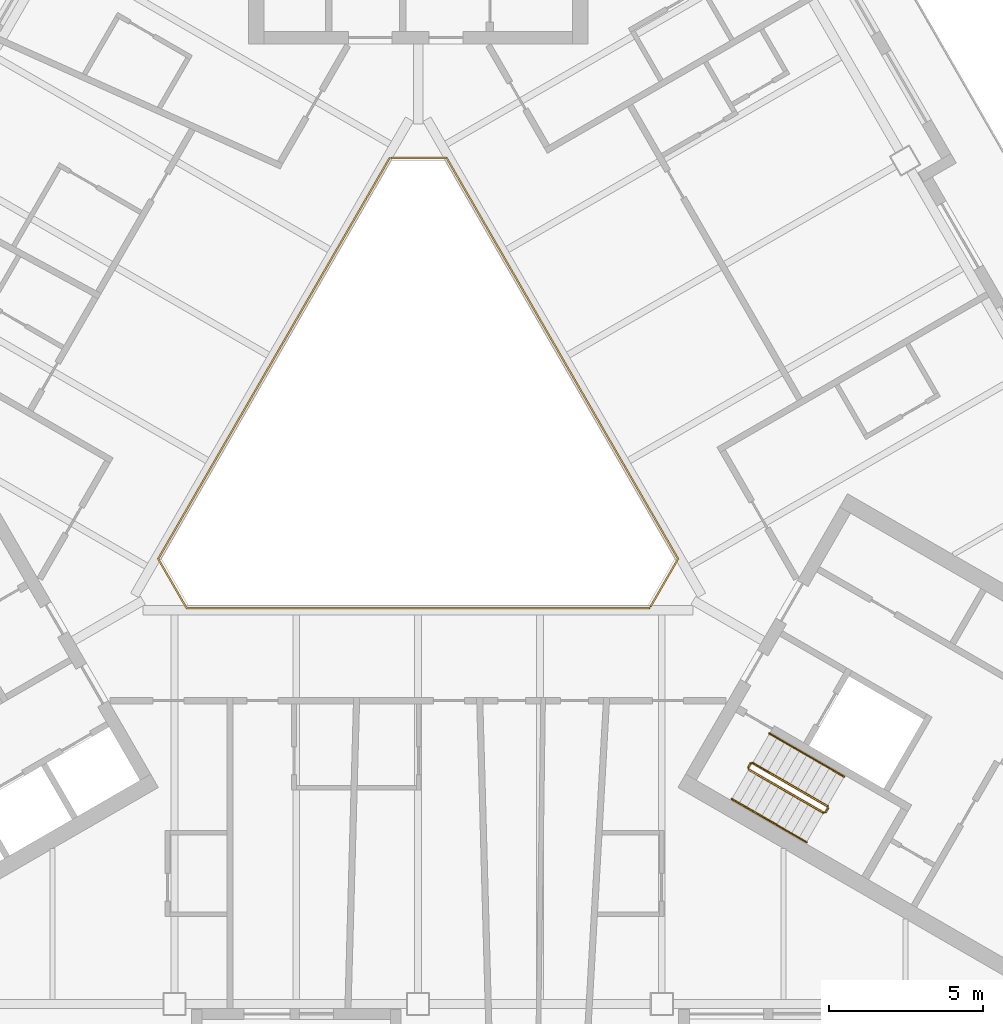
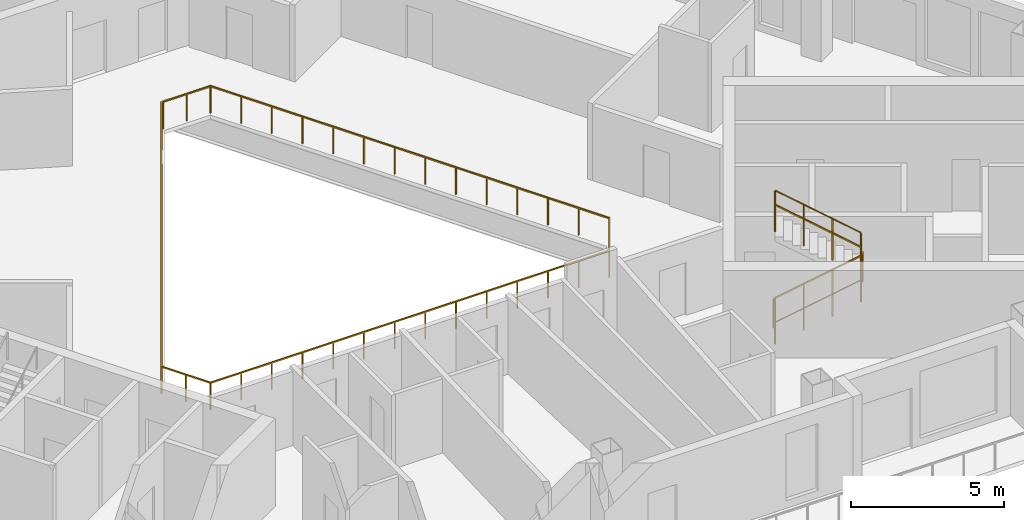
# One storey, part 12 of 14: 8 railings.
"""IFC4 building model written with IfcOpenShell, lengths in metres."""

import ifcopenshell
import ifcopenshell.guid

model = None  # the IFC model being written
_history = None  # IfcOwnerHistory: only IFC2X3 demands one
_inside = {}  # id of a spatial element -> (the spatial element, [elements in it])
_under = {}  # id of a project, library or spatial element -> (it, [spatial elements below it])
_declared = {}  # id of a project -> (the project, [libraries it declares])
_typed = {}  # id of a type object -> (the type object, [elements of that type])
_made_of = {}  # id of a material, layer set ... -> (it, [elements and type objects made of it])


def new_model(schema):
    """Start an empty IFC model of exactly this schema.

    Asked for "IFC4X3", IfcOpenShell would pick the latest addendum, in which some entities
    have other attributes; the version numbers below select the first issue.
    IFC2X3 requires an IfcOwnerHistory on every rooted entity: one is made here for all.
    """
    global model, _history
    if schema == "IFC4X3":
        model = ifcopenshell.file(schema_version=(4, 3, 0, 0))
    else:
        model = ifcopenshell.file(schema=schema)
    _inside.clear()
    _under.clear()
    _declared.clear()
    _typed.clear()
    _made_of.clear()
    _history = None
    if model.schema == "IFC2X3":
        org = make("IfcOrganization", Name="unknown")
        user = make(
            "IfcPersonAndOrganization",
            ThePerson=make("IfcPerson", FamilyName="unknown"),
            TheOrganization=org,
        )
        app = make(
            "IfcApplication",
            ApplicationDeveloper=org,
            Version="unknown",
            ApplicationFullName="unknown",
            ApplicationIdentifier="unknown",
        )
        _history = make(
            "IfcOwnerHistory",
            OwningUser=user,
            OwningApplication=app,
            ChangeAction="ADDED",
            CreationDate=0,
        )
    return model


def make(cls, **values):
    """One entity of the class cls with the attributes given. An attribute that is None is left unset."""
    return model.create_entity(
        cls, **{name: value for name, value in values.items() if value is not None}
    )


def rooted(cls, **values):
    """An entity with a GlobalId (a new one), such as an element, a storey or a relation."""
    return make(cls, GlobalId=ifcopenshell.guid.new(), OwnerHistory=_history, **values)


def si_unit(unit_type, name, prefix=None):
    """IfcSIUnit, for example si_unit("LENGTHUNIT", "METRE", prefix="MILLI")."""
    return make("IfcSIUnit", UnitType=unit_type, Prefix=prefix, Name=name)


def assignment(units):
    """IfcUnitAssignment: the units of a project."""
    return None if units is None else make("IfcUnitAssignment", Units=units)


def point(xyz):
    """IfcCartesianPoint."""
    return None if xyz is None else make("IfcCartesianPoint", Coordinates=xyz)


def direction(xyz):
    """IfcDirection."""
    return None if xyz is None else make("IfcDirection", DirectionRatios=xyz)


def frame(location, z_axis=None, x_axis=None):
    """IfcAxis2Placement3D, a coordinate frame: its origin and axes. An axis left out is left unset."""
    return make(
        "IfcAxis2Placement3D",
        Location=point(location),
        Axis=direction(z_axis),
        RefDirection=direction(x_axis),
    )


def frame_2d(location, x_axis=None):
    """IfcAxis2Placement2D, a coordinate frame in the plane: its origin and x axis."""
    return make(
        "IfcAxis2Placement2D", Location=point(location), RefDirection=direction(x_axis)
    )


def origin():
    """The frame at (0, 0, 0) with its axes left unset."""
    return frame((0.0, 0.0, 0.0))


def origin_2d():
    """The frame at (0, 0) in the plane with its x axis left unset."""
    return frame_2d((0.0, 0.0))


def place(relative_to, where):
    """IfcLocalPlacement: puts the frame where relative to a parent placement (None: the world)."""
    return make(
        "IfcLocalPlacement", PlacementRelTo=relative_to, RelativePlacement=where
    )


def context(
    kind, dimensions, precision=None, world=None, true_north=None, identifier=None
):
    """IfcGeometricRepresentationContext, for example the 3D "Model" context."""
    return make(
        "IfcGeometricRepresentationContext",
        ContextIdentifier=identifier,
        ContextType=kind,
        CoordinateSpaceDimension=dimensions,
        Precision=precision,
        WorldCoordinateSystem=world,
        TrueNorth=true_north,
    )


def subcontext(parent, identifier, kind, view, scale=None):
    """IfcGeometricRepresentationSubContext, for example "Body" below "Model"."""
    return make(
        "IfcGeometricRepresentationSubContext",
        ContextIdentifier=identifier,
        ContextType=kind,
        ParentContext=parent,
        TargetScale=scale,
        TargetView=view,
    )


def project(units=None, contexts=None):
    """IfcProject with its units and contexts."""
    return rooted(
        "IfcProject",
        Name="project",
        RepresentationContexts=contexts,
        UnitsInContext=assignment(units),
    )


def spatial(cls, under=None, at=None, **own):
    """A site, building, storey or space (cls), placed at a placement, below another one or the project."""
    s = rooted(cls, ObjectPlacement=at, **own)
    if under is not None:
        _under.setdefault(under.id(), (under, []))[1].append(s)
    return s


def profile(cls, at=None, kind="AREA", **sizes):
    """A parametric profile (cls). Its sizes go by their IFC names, for example OverallWidth=200.0."""
    return make(cls, ProfileType=kind, Position=at, **sizes)


def rectangle(**sizes):
    """IfcRectangleProfileDef."""
    return profile("IfcRectangleProfileDef", **sizes)


def circle(**sizes):
    """IfcCircleProfileDef."""
    return profile("IfcCircleProfileDef", **sizes)


def extrude(swept, where, along, depth):
    """IfcExtrudedAreaSolid: the profile swept, set in the frame where, extruded along a direction by depth."""
    return make(
        "IfcExtrudedAreaSolid",
        SweptArea=swept,
        Position=where,
        ExtrudedDirection=direction(along),
        Depth=depth,
    )


def shape(context_of_items, identifier, shape_type, items):
    """IfcShapeRepresentation: the items that make up one representation, for example the "Body"."""
    return make(
        "IfcShapeRepresentation",
        ContextOfItems=context_of_items,
        RepresentationIdentifier=identifier,
        RepresentationType=shape_type,
        Items=items,
    )


def material(Name=None, Category=None):
    """IfcMaterial."""
    return make("IfcMaterial", Name=Name, Category=Category)


def made_of(thing, what):
    """Note that an element or type object is made of a material, layer set ...; save() writes the relation."""
    if what is not None:
        _made_of.setdefault(what.id(), (what, []))[1].append(thing)
    return thing


def type_object(cls, material=None, **own):
    """A type object (cls), such as IfcWallType, which elements share."""
    return made_of(rooted(cls, **own), material)


def element(
    cls,
    number,
    at=None,
    inside=None,
    cuts=None,
    type_object=None,
    material=None,
    context=None,
    identifier="Body",
    shape_type=None,
    held_by="IfcProductDefinitionShape",
    body=None,
    shapes=None,
    **own,
):
    """One element of the class cls, such as IfcWall. Its Tag is "e" and its number.

    at: its placement. inside: the storey or other place that contains it. cuts: it is an
    opening in that element (IfcRelVoidsElement). A single representation is given by context,
    identifier, shape_type and body (its items); several are given by shapes. held_by: the class
    of the entity that holds the representations. save() writes the other relations.
    """
    e = rooted(cls, Tag="e%d" % number, ObjectPlacement=at, **own)
    if body is not None:
        shapes = [shape(context, identifier, shape_type, body)]
    if shapes is not None:
        e.Representation = make(held_by, Representations=shapes)
    if inside is not None:
        _inside.setdefault(inside.id(), (inside, []))[1].append(e)
    if cuts is not None:
        rooted(
            "IfcRelVoidsElement", RelatingBuildingElement=cuts, RelatedOpeningElement=e
        )
    if type_object is not None:
        _typed.setdefault(type_object.id(), (type_object, []))[1].append(e)
    return made_of(e, material)


def aggregate(whole, parts):
    """IfcRelAggregates: a whole, such as a stair, and the parts it consists of."""
    return rooted("IfcRelAggregates", RelatingObject=whole, RelatedObjects=parts)


def save(model, path):
    """Write the relations noted so far, then the file.

    IfcRelAggregates (storeys below a building ...), IfcRelContainedInSpatialStructure (elements
    in a storey), IfcRelDefinesByType, IfcRelAssociatesMaterial and IfcRelDeclares: one each for
    every whole, place, type object, material and project.
    """
    for whole, parts in _under.values():
        aggregate(whole, parts)
    for where, things in _inside.values():
        rooted(
            "IfcRelContainedInSpatialStructure",
            RelatedElements=things,
            RelatingStructure=where,
        )
    for kind, things in _typed.values():
        rooted("IfcRelDefinesByType", RelatedObjects=things, RelatingType=kind)
    for what, things in _made_of.values():
        rooted("IfcRelAssociatesMaterial", RelatedObjects=things, RelatingMaterial=what)
    for by, libraries in _declared.values():
        rooted("IfcRelDeclares", RelatingContext=by, RelatedDefinitions=libraries)
    model.write(path)


model = new_model("IFC4")

# Units and contexts
model_context = context("Model", 3, precision=1e-05, world=origin(), true_north=direction((0.0, 1.0)))
body_context = subcontext(model_context, "Body", "Model", "MODEL_VIEW")
ifc_project = project(units=[si_unit("LENGTHUNIT", "METRE"), si_unit("AREAUNIT", "SQUARE_METRE"), si_unit("VOLUMEUNIT", "CUBIC_METRE"), si_unit("PLANEANGLEUNIT", "RADIAN"), si_unit("MASSUNIT", "GRAM", prefix="KILO")], contexts=[model_context])

# Site, building, storey
site_placement = place(None, origin())
site = spatial("IfcSite", under=ifc_project, at=site_placement, CompositionType="ELEMENT")
building_placement = place(site_placement, origin())
building = spatial("IfcBuilding", under=site, at=building_placement, Name="Apuvela Tower Hotel", CompositionType="ELEMENT")
storey_placement = place(building_placement, frame((0.0, 0.0, 220.60009765625)))
storey = spatial("IfcBuildingStorey", under=building, at=storey_placement, Name="L54", CompositionType="ELEMENT", Elevation=220.60009765625)

# Railings
ifc_material_1 = material(Name="Steel S275 balustrade", Category="steel")
railing_type_1 = type_object("IfcRailingType", Name="COR-GUARD-1100", PredefinedType="GUARDRAIL", material=ifc_material_1)
railing_1_placement = place(storey_placement, frame((10.718994140625, -10.63427734375, 0.16796875)))
element("IfcRailing", 1, at=railing_1_placement, inside=storey, type_object=railing_type_1, Name="L54 ST3 stair guard 1", PredefinedType="GUARDRAIL", context=body_context, shape_type="SweptSolid", body=[
    extrude(rectangle(XDim=0.048095703125, YDim=0.048095703125, at=origin_2d()), frame((0.0, 0.0, 1.076171875), z_axis=(0.742390482028, -0.42860119049, 0.514934356695), x_axis=(0.49998411664, 0.866034573852, 0.0)), (0.0, 0.0, 1.0), 3.26611328125),
    extrude(rectangle(XDim=0.0419921875, YDim=0.0419921875, at=origin_2d()), origin(), (0.0, 0.0, 1.0), 1.052001953125),
    extrude(rectangle(XDim=0.0419921875, YDim=0.0419921875, at=origin_2d()), frame((0.808349609375, -0.466552734375, 0.560546875)), (0.0, 0.0, 1.0), 1.052001953125),
    extrude(rectangle(XDim=0.0419921875, YDim=0.0419921875, at=origin_2d()), frame((1.616455078125, -0.933349609375, 1.121337890625)), (0.0, 0.0, 1.0), 1.052001953125),
    extrude(rectangle(XDim=0.0419921875, YDim=0.0419921875, at=origin_2d()), frame((2.4248046875, -1.39990234375, 1.681884765625)), (0.0, 0.0, 1.0), 1.052001953125),
])
railing_2_placement = place(storey_placement, frame((13.212158203125, -12.015869140625, 1.849853515625)))
element("IfcRailing", 2, at=railing_2_placement, inside=storey, type_object=railing_type_1, Name="L54 ST3 stair guard 2", PredefinedType="GUARDRAIL", context=body_context, shape_type="SweptSolid", body=[
    extrude(rectangle(XDim=0.048095703125, YDim=0.048095703125, at=origin_2d()), frame((0.0, 0.0, 1.076171875), z_axis=(0.499816412211, 0.866131372301, 0.0), x_axis=(-0.866131372301, 0.499816412211, 0.0)), (0.0, 0.0, 1.0), 0.14990234375),
    extrude(rectangle(XDim=0.0419921875, YDim=0.0419921875, at=origin_2d()), origin(), (0.0, 0.0, 1.0), 1.052001953125),
    extrude(rectangle(XDim=0.0419921875, YDim=0.0419921875, at=origin_2d()), frame((0.074951171875, 0.1298828125, 0.0)), (0.0, 0.0, 1.0), 1.052001953125),
])
railing_3_placement = place(storey_placement, frame((13.268798828125, -11.817626953125, 2.01806640625)))
element("IfcRailing", 3, at=railing_3_placement, inside=storey, type_object=railing_type_1, Name="L54 ST3 stair guard 3", PredefinedType="GUARDRAIL", context=body_context, shape_type="SweptSolid", body=[
    extrude(rectangle(XDim=0.048095703125, YDim=0.048095703125, at=origin_2d()), frame((0.0, 0.0, 1.076171875), z_axis=(-0.742390482028, 0.42860119049, 0.514934356695), x_axis=(-0.49998411664, -0.866034573852, 0.0)), (0.0, 0.0, 1.0), 3.26611328125),
    extrude(rectangle(XDim=0.0419921875, YDim=0.0419921875, at=origin_2d()), origin(), (0.0, 0.0, 1.0), 1.052001953125),
    extrude(rectangle(XDim=0.0419921875, YDim=0.0419921875, at=origin_2d()), frame((-0.808349609375, 0.466552734375, 0.560546875)), (0.0, 0.0, 1.0), 1.052001953125),
    extrude(rectangle(XDim=0.0419921875, YDim=0.0419921875, at=origin_2d()), frame((-1.616455078125, 0.933349609375, 1.121337890625)), (0.0, 0.0, 1.0), 1.052001953125),
    extrude(rectangle(XDim=0.0419921875, YDim=0.0419921875, at=origin_2d()), frame((-2.4248046875, 1.39990234375, 1.681884765625)), (0.0, 0.0, 1.0), 1.052001953125),
])
railing_4_placement = place(storey_placement, frame((10.70068359375, -10.56591796875, 0.0)))
element("IfcRailing", 4, at=railing_4_placement, inside=storey, type_object=railing_type_1, Name="L54 ST3 stair guard 4", PredefinedType="GUARDRAIL", context=body_context, shape_type="SweptSolid", body=[
    extrude(rectangle(XDim=0.048095703125, YDim=0.048095703125, at=origin_2d()), frame((0.0, 0.0, 1.076171875), z_axis=(0.499816412211, 0.866131372301, 0.0), x_axis=(-0.866131372301, 0.499816412211, 0.0)), (0.0, 0.0, 1.0), 0.14990234375),
    extrude(rectangle(XDim=0.0419921875, YDim=0.0419921875, at=origin_2d()), origin(), (0.0, 0.0, 1.0), 1.052001953125),
    extrude(rectangle(XDim=0.0419921875, YDim=0.0419921875, at=origin_2d()), frame((0.074951171875, 0.1298828125, 0.0)), (0.0, 0.0, 1.0), 1.052001953125),
])
ifc_material_2 = material(Name="Stainless steel 316 handrail", Category="steel")
railing_type_2 = type_object("IfcRailingType", Name="COR-HANDRAIL-900", PredefinedType="HANDRAIL", material=ifc_material_2)
railing_5_placement = place(storey_placement, frame((10.1689453125, -11.5869140625, 0.16796875)))
element("IfcRailing", 5, at=railing_5_placement, inside=storey, type_object=railing_type_2, Name="L54 ST3 stair handrail 1", PredefinedType="HANDRAIL", context=body_context, shape_type="SweptSolid", body=[
    extrude(circle(Radius=0.02392578125, at=origin_2d()), frame((0.0, 0.0, 0.8759765625), z_axis=(0.742390482028, -0.42860119049, 0.514934356695), x_axis=(0.49998411664, 0.866034573852, 0.0)), (0.0, 0.0, 1.0), 3.26611328125),
    extrude(rectangle(XDim=0.0419921875, YDim=0.0419921875, at=origin_2d()), origin(), (0.0, 0.0, 1.0), 0.851806640625),
    extrude(rectangle(XDim=0.0419921875, YDim=0.0419921875, at=origin_2d()), frame((0.808349609375, -0.466552734375, 0.560546875)), (0.0, 0.0, 1.0), 0.851806640625),
    extrude(rectangle(XDim=0.0419921875, YDim=0.0419921875, at=origin_2d()), frame((1.616455078125, -0.933349609375, 1.121337890625)), (0.0, 0.0, 1.0), 0.851806640625),
    extrude(rectangle(XDim=0.0419921875, YDim=0.0419921875, at=origin_2d()), frame((2.4248046875, -1.39990234375, 1.681884765625)), (0.0, 0.0, 1.0), 0.851806640625),
])
railing_6_placement = place(storey_placement, frame((13.81884765625, -10.864990234375, 2.01806640625)))
element("IfcRailing", 6, at=railing_6_placement, inside=storey, type_object=railing_type_2, Name="L54 ST3 stair handrail 2", PredefinedType="HANDRAIL", context=body_context, shape_type="SweptSolid", body=[
    extrude(circle(Radius=0.02392578125, at=origin_2d()), frame((0.0, 0.0, 0.8759765625), z_axis=(-0.742390482028, 0.42860119049, 0.514934356695), x_axis=(-0.49998411664, -0.866034573852, 0.0)), (0.0, 0.0, 1.0), 3.26611328125),
    extrude(rectangle(XDim=0.0419921875, YDim=0.0419921875, at=origin_2d()), origin(), (0.0, 0.0, 1.0), 0.851806640625),
    extrude(rectangle(XDim=0.0419921875, YDim=0.0419921875, at=origin_2d()), frame((-0.808349609375, 0.466552734375, 0.560546875)), (0.0, 0.0, 1.0), 0.851806640625),
    extrude(rectangle(XDim=0.0419921875, YDim=0.0419921875, at=origin_2d()), frame((-1.616455078125, 0.933349609375, 1.121337890625)), (0.0, 0.0, 1.0), 0.851806640625),
    extrude(rectangle(XDim=0.0419921875, YDim=0.0419921875, at=origin_2d()), frame((-2.4248046875, 1.39990234375, 1.681884765625)), (0.0, 0.0, 1.0), 0.851806640625),
])
ifc_material_3 = material(Name="Stainless steel 316 rail with laminated glass infill", Category="steel")
railing_type_3 = type_object("IfcRailingType", Name="ENV-GUARD-1100", PredefinedType="GUARDRAIL", material=ifc_material_3)
railing_7_placement = place(storey_placement, frame((-0.923828125, 9.199951171875, 0.0)))
element("IfcRailing", 7, at=railing_7_placement, inside=storey, type_object=railing_type_3, Name="Atrium void guard A L54", PredefinedType="GUARDRAIL", context=body_context, shape_type="SweptSolid", body=[
    extrude(rectangle(XDim=0.050048828125, YDim=0.050048828125, at=origin_2d()), frame((0.0, 0.0, 1.0751953125), z_axis=(-0.499990886379, -0.866030665472, 0.0), x_axis=(0.866030665472, -0.499990886379, 0.0)), (0.0, 0.0, 1.0), 15.010986328125),
    extrude(rectangle(XDim=0.050048828125, YDim=0.050048828125, at=origin_2d()), frame((-7.50537109375, -13.0, 1.0751953125), z_axis=(0.499962699187, -0.866046938348, 0.0), x_axis=(0.866046938348, 0.499962699187, 0.0)), (0.0, 0.0, 1.0), 1.847412109375),
    extrude(rectangle(XDim=0.050048828125, YDim=0.050048828125, at=origin_2d()), frame((-6.581787109375, -14.599853515625, 1.0751953125), z_axis=(1.0, 0.0, 0.0), x_axis=(0.0, 1.0, 0.0)), (0.0, 0.0, 1.0), 15.01123046875),
    extrude(rectangle(XDim=0.0400390625, YDim=0.0400390625, at=origin_2d()), origin(), (0.0, 0.0, 1.0), 1.050048828125),
    extrude(rectangle(XDim=0.0400390625, YDim=0.0400390625, at=origin_2d()), frame((-0.577392578125, -1.0, 0.0)), (0.0, 0.0, 1.0), 1.050048828125),
    extrude(rectangle(XDim=0.0400390625, YDim=0.0400390625, at=origin_2d()), frame((-1.15478515625, -2.0, 0.0)), (0.0, 0.0, 1.0), 1.050048828125),
    extrude(rectangle(XDim=0.0400390625, YDim=0.0400390625, at=origin_2d()), frame((-1.73193359375, -3.0, 0.0)), (0.0, 0.0, 1.0), 1.050048828125),
    extrude(rectangle(XDim=0.0400390625, YDim=0.0400390625, at=origin_2d()), frame((-2.309326171875, -4.0, 0.0)), (0.0, 0.0, 1.0), 1.050048828125),
    extrude(rectangle(XDim=0.0400390625, YDim=0.0400390625, at=origin_2d()), frame((-2.88671875, -5.0, 0.0)), (0.0, 0.0, 1.0), 1.050048828125),
    extrude(rectangle(XDim=0.0400390625, YDim=0.0400390625, at=origin_2d()), frame((-3.464111328125, -6.0, 0.0)), (0.0, 0.0, 1.0), 1.050048828125),
    extrude(rectangle(XDim=0.0400390625, YDim=0.0400390625, at=origin_2d()), frame((-4.041259765625, -7.0, 0.0)), (0.0, 0.0, 1.0), 1.050048828125),
    extrude(rectangle(XDim=0.0400390625, YDim=0.0400390625, at=origin_2d()), frame((-4.61865234375, -8.0, 0.0)), (0.0, 0.0, 1.0), 1.050048828125),
    extrude(rectangle(XDim=0.0400390625, YDim=0.0400390625, at=origin_2d()), frame((-5.196044921875, -9.0, 0.0)), (0.0, 0.0, 1.0), 1.050048828125),
    extrude(rectangle(XDim=0.0400390625, YDim=0.0400390625, at=origin_2d()), frame((-5.7734375, -10.0, 0.0)), (0.0, 0.0, 1.0), 1.050048828125),
    extrude(rectangle(XDim=0.0400390625, YDim=0.0400390625, at=origin_2d()), frame((-6.3505859375, -11.0, 0.0)), (0.0, 0.0, 1.0), 1.050048828125),
    extrude(rectangle(XDim=0.0400390625, YDim=0.0400390625, at=origin_2d()), frame((-6.927978515625, -12.0, 0.0)), (0.0, 0.0, 1.0), 1.050048828125),
    extrude(rectangle(XDim=0.0400390625, YDim=0.0400390625, at=origin_2d()), frame((-7.50537109375, -13.0, 0.0)), (0.0, 0.0, 1.0), 1.050048828125),
    extrude(rectangle(XDim=0.0400390625, YDim=0.0400390625, at=origin_2d()), frame((-7.04345703125, -13.7998046875, 0.0)), (0.0, 0.0, 1.0), 1.050048828125),
    extrude(rectangle(XDim=0.0400390625, YDim=0.0400390625, at=origin_2d()), frame((-6.581787109375, -14.599853515625, 0.0)), (0.0, 0.0, 1.0), 1.050048828125),
    extrude(rectangle(XDim=0.0400390625, YDim=0.0400390625, at=origin_2d()), frame((-5.427001953125, -14.599853515625, 0.0)), (0.0, 0.0, 1.0), 1.050048828125),
    extrude(rectangle(XDim=0.0400390625, YDim=0.0400390625, at=origin_2d()), frame((-4.2724609375, -14.599853515625, 0.0)), (0.0, 0.0, 1.0), 1.050048828125),
    extrude(rectangle(XDim=0.0400390625, YDim=0.0400390625, at=origin_2d()), frame((-3.11767578125, -14.599853515625, 0.0)), (0.0, 0.0, 1.0), 1.050048828125),
    extrude(rectangle(XDim=0.0400390625, YDim=0.0400390625, at=origin_2d()), frame((-1.962890625, -14.599853515625, 0.0)), (0.0, 0.0, 1.0), 1.050048828125),
    extrude(rectangle(XDim=0.0400390625, YDim=0.0400390625, at=origin_2d()), frame((-0.808349609375, -14.599853515625, 0.0)), (0.0, 0.0, 1.0), 1.050048828125),
    extrude(rectangle(XDim=0.0400390625, YDim=0.0400390625, at=origin_2d()), frame((0.346435546875, -14.599853515625, 0.0)), (0.0, 0.0, 1.0), 1.050048828125),
    extrude(rectangle(XDim=0.0400390625, YDim=0.0400390625, at=origin_2d()), frame((1.501220703125, -14.599853515625, 0.0)), (0.0, 0.0, 1.0), 1.050048828125),
    extrude(rectangle(XDim=0.0400390625, YDim=0.0400390625, at=origin_2d()), frame((2.656005859375, -14.599853515625, 0.0)), (0.0, 0.0, 1.0), 1.050048828125),
    extrude(rectangle(XDim=0.0400390625, YDim=0.0400390625, at=origin_2d()), frame((3.810546875, -14.599853515625, 0.0)), (0.0, 0.0, 1.0), 1.050048828125),
    extrude(rectangle(XDim=0.0400390625, YDim=0.0400390625, at=origin_2d()), frame((4.96533203125, -14.599853515625, 0.0)), (0.0, 0.0, 1.0), 1.050048828125),
    extrude(rectangle(XDim=0.0400390625, YDim=0.0400390625, at=origin_2d()), frame((6.1201171875, -14.599853515625, 0.0)), (0.0, 0.0, 1.0), 1.050048828125),
    extrude(rectangle(XDim=0.0400390625, YDim=0.0400390625, at=origin_2d()), frame((7.274658203125, -14.599853515625, 0.0)), (0.0, 0.0, 1.0), 1.050048828125),
    extrude(rectangle(XDim=0.0400390625, YDim=0.0400390625, at=origin_2d()), frame((8.429443359375, -14.599853515625, 0.0)), (0.0, 0.0, 1.0), 1.050048828125),
])
railing_8_placement = place(storey_placement, frame((7.53564453125, -5.347900390625, 0.0)))
element("IfcRailing", 8, at=railing_8_placement, inside=storey, type_object=railing_type_3, Name="Atrium void guard B L54", PredefinedType="GUARDRAIL", context=body_context, shape_type="SweptSolid", body=[
    extrude(rectangle(XDim=0.050048828125, YDim=0.050048828125, at=origin_2d()), frame((0.0, 0.0, 1.0751953125), z_axis=(0.499958946799, 0.866049104564, 0.0), x_axis=(-0.866049104564, 0.499958946799, 0.0)), (0.0, 0.0, 1.0), 1.787353515625),
    extrude(rectangle(XDim=0.050048828125, YDim=0.050048828125, at=origin_2d()), frame((0.8935546875, 1.5478515625, 1.0751953125), z_axis=(-0.499990886379, 0.866030665472, 0.0), x_axis=(-0.866030665472, -0.499990886379, 0.0)), (0.0, 0.0, 1.0), 15.010986328125),
    extrude(rectangle(XDim=0.050048828125, YDim=0.050048828125, at=origin_2d()), frame((-6.61181640625, 14.5478515625, 1.0751953125), z_axis=(-1.0, 0.0, 0.0), x_axis=(0.0, -1.0, 0.0)), (0.0, 0.0, 1.0), 1.78759765625),
    extrude(rectangle(XDim=0.0400390625, YDim=0.0400390625, at=origin_2d()), origin(), (0.0, 0.0, 1.0), 1.050048828125),
    extrude(rectangle(XDim=0.0400390625, YDim=0.0400390625, at=origin_2d()), frame((0.44677734375, 0.77392578125, 0.0)), (0.0, 0.0, 1.0), 1.050048828125),
    extrude(rectangle(XDim=0.0400390625, YDim=0.0400390625, at=origin_2d()), frame((0.8935546875, 1.5478515625, 0.0)), (0.0, 0.0, 1.0), 1.050048828125),
    extrude(rectangle(XDim=0.0400390625, YDim=0.0400390625, at=origin_2d()), frame((0.316162109375, 2.5478515625, 0.0)), (0.0, 0.0, 1.0), 1.050048828125),
    extrude(rectangle(XDim=0.0400390625, YDim=0.0400390625, at=origin_2d()), frame((-0.26123046875, 3.5478515625, 0.0)), (0.0, 0.0, 1.0), 1.050048828125),
    extrude(rectangle(XDim=0.0400390625, YDim=0.0400390625, at=origin_2d()), frame((-0.83837890625, 4.5478515625, 0.0)), (0.0, 0.0, 1.0), 1.050048828125),
    extrude(rectangle(XDim=0.0400390625, YDim=0.0400390625, at=origin_2d()), frame((-1.415771484375, 5.5478515625, 0.0)), (0.0, 0.0, 1.0), 1.050048828125),
    extrude(rectangle(XDim=0.0400390625, YDim=0.0400390625, at=origin_2d()), frame((-1.9931640625, 6.5478515625, 0.0)), (0.0, 0.0, 1.0), 1.050048828125),
    extrude(rectangle(XDim=0.0400390625, YDim=0.0400390625, at=origin_2d()), frame((-2.570556640625, 7.5478515625, 0.0)), (0.0, 0.0, 1.0), 1.050048828125),
    extrude(rectangle(XDim=0.0400390625, YDim=0.0400390625, at=origin_2d()), frame((-3.147705078125, 8.5478515625, 0.0)), (0.0, 0.0, 1.0), 1.050048828125),
    extrude(rectangle(XDim=0.0400390625, YDim=0.0400390625, at=origin_2d()), frame((-3.72509765625, 9.5478515625, 0.0)), (0.0, 0.0, 1.0), 1.050048828125),
    extrude(rectangle(XDim=0.0400390625, YDim=0.0400390625, at=origin_2d()), frame((-4.302490234375, 10.5478515625, 0.0)), (0.0, 0.0, 1.0), 1.050048828125),
    extrude(rectangle(XDim=0.0400390625, YDim=0.0400390625, at=origin_2d()), frame((-4.8798828125, 11.5478515625, 0.0)), (0.0, 0.0, 1.0), 1.050048828125),
    extrude(rectangle(XDim=0.0400390625, YDim=0.0400390625, at=origin_2d()), frame((-5.45703125, 12.5478515625, 0.0)), (0.0, 0.0, 1.0), 1.050048828125),
    extrude(rectangle(XDim=0.0400390625, YDim=0.0400390625, at=origin_2d()), frame((-6.034423828125, 13.5478515625, 0.0)), (0.0, 0.0, 1.0), 1.050048828125),
    extrude(rectangle(XDim=0.0400390625, YDim=0.0400390625, at=origin_2d()), frame((-6.61181640625, 14.5478515625, 0.0)), (0.0, 0.0, 1.0), 1.050048828125),
    extrude(rectangle(XDim=0.0400390625, YDim=0.0400390625, at=origin_2d()), frame((-7.505615234375, 14.5478515625, 0.0)), (0.0, 0.0, 1.0), 1.050048828125),
    extrude(rectangle(XDim=0.0400390625, YDim=0.0400390625, at=origin_2d()), frame((-8.3994140625, 14.5478515625, 0.0)), (0.0, 0.0, 1.0), 1.050048828125),
])

save(model, "model.ifc")
